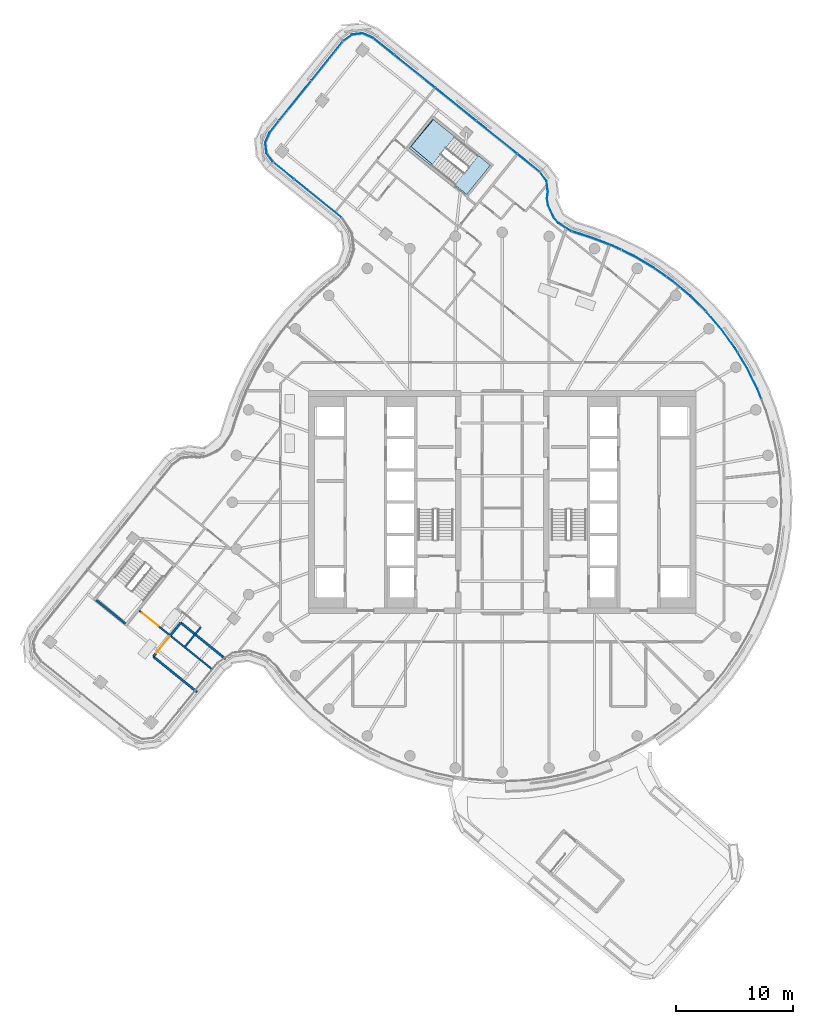
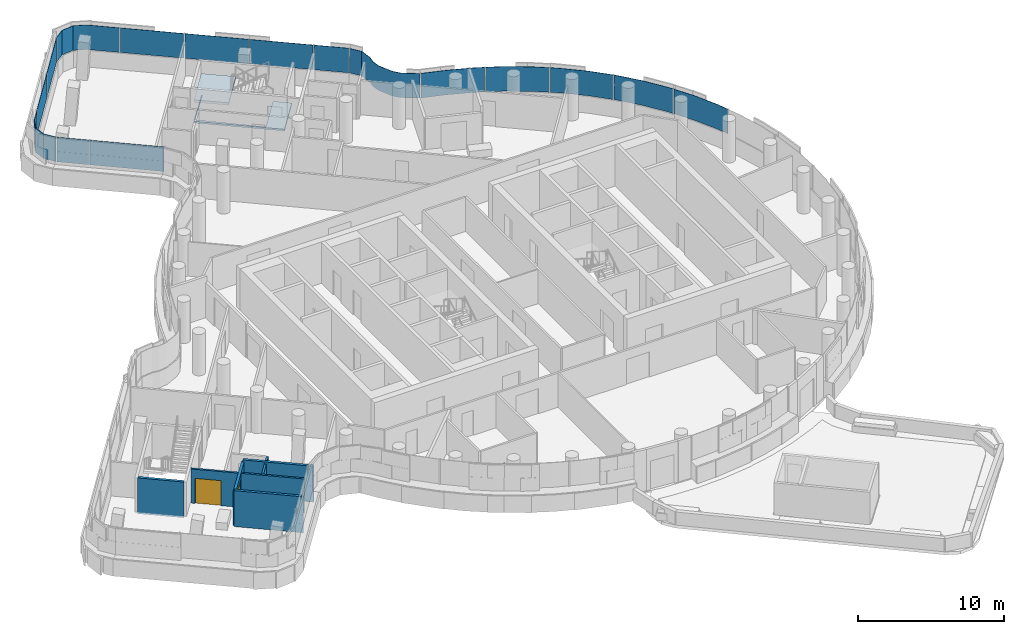
# One storey, part 14 of 25: 16 plates, 6 walls, 2 doors, 2 slabs, 2 openings, 5 elements without a shape of their own.
"""IFC4 building model written with IfcOpenShell, lengths in metres."""

from ifc_helpers import new_model, si_unit, direction, frame, frame_2d, origin, place, context, subcontext, project, spatial, polyline, rectangle, outline, extrude, material, layer, layer_set, type_object, element, fill, aggregate, save


model = new_model("IFC4")

# Units and contexts
model_context = context("Model", 3, precision=1e-05, world=origin(), true_north=direction((0.0, 1.0)))
body_context = subcontext(model_context, "Body", "Model", "MODEL_VIEW")
ifc_project = project(units=[si_unit("LENGTHUNIT", "METRE"), si_unit("AREAUNIT", "SQUARE_METRE"), si_unit("VOLUMEUNIT", "CUBIC_METRE"), si_unit("PLANEANGLEUNIT", "RADIAN"), si_unit("MASSUNIT", "GRAM", prefix="KILO")], contexts=[model_context])

# Site, building, storey
site_placement = place(None, origin())
site = spatial("IfcSite", under=ifc_project, at=site_placement, CompositionType="ELEMENT")
building_placement = place(site_placement, origin())
building = spatial("IfcBuilding", under=site, at=building_placement, Name="Tamarind Cross Interchange Tower", CompositionType="ELEMENT")
storey_placement = place(building_placement, frame((0.0, 0.0, 219.89990234375)))
storey = spatial("IfcBuildingStorey", under=building, at=storey_placement, Name="L55", CompositionType="ELEMENT", Elevation=219.89990234375)

# Slab
ifc_material_1 = material(Name="Concrete C35", Category="concrete")
ifc_layer_1 = layer(ifc_material_1, 0.139892578125)
ifc_layer_set_1 = layer_set([ifc_layer_1], Name="Concrete C35")
slab_type_1 = type_object("IfcSlabType", Name="Composite slab 140 Concrete C35", PredefinedType="FLOOR", material=ifc_layer_set_1)
slab_1_placement = place(storey_placement, frame((0.0, 0.0, -0.139892578125)))
element("IfcSlab", 1, at=slab_1_placement, inside=storey, type_object=slab_type_1, Name="Floor slab L55", PredefinedType="FLOOR", context=body_context, shape_type="SweptSolid", body=[
    extrude(outline(polyline([(-5.923095703125, 32.666015625), (-7.9287109375, 30.17236328125), (-3.01904296875, 26.224365234375), (-1.013671875, 28.718017578125), (-2.0361328125, 29.540283203125), (-3.96923828125, 27.136474609375), (-7.7783203125, 30.315673828125), (-5.859375, 32.61474609375), (-5.923095703125, 32.666015625)])), origin(), (0.0, 0.0, 1.0), 0.139892578125),
])

# Stair, slab
ifc_material_2 = material(Name="Exit stair")
stair_type = type_object("IfcStairType", Name="Exit stair", PredefinedType="HALF_TURN_STAIR", material=ifc_material_2)
stair_placement = place(storey_placement, origin())
stair = element("IfcStair", 2, at=stair_placement, inside=storey, type_object=stair_type, Name="L55 exit stair ST4", PredefinedType="HALF_TURN_STAIR")
ifc_material_3 = material(Name="Concrete C40", Category="concrete")
ifc_layer_2 = layer(ifc_material_3, 0.199951171875)
ifc_layer_set_2 = layer_set([ifc_layer_2], Name="Concrete C40")
slab_type_2 = type_object("IfcSlabType", Name="Stair landing", PredefinedType="LANDING", material=ifc_layer_set_2)
slab_2_placement = place(storey_placement, frame((0.0, 0.0, 1.60009765625)))
slab_2 = element("IfcSlab", 3, at=slab_2_placement, type_object=slab_type_2, Name="ST4 landing 1", PredefinedType="LANDING", context=body_context, shape_type="SweptSolid", body=[
    extrude(outline(polyline([(-4.043701171875, 31.154541015625), (-5.92333984375, 32.666015625), (-7.9287109375, 30.17236328125), (-6.049072265625, 28.660888671875), (-4.043701171875, 31.154541015625)])), origin(), (0.0, 0.0, 1.0), 0.199951171875),
])
aggregate(stair, [slab_2])

# Curtain wall, plates
ifc_material_4 = material(Name="Aluminium 6063-T6", Category="aluminium")
ifc_layer_3 = layer(ifc_material_4, 0.139892578125)
ifc_layer_set_3 = layer_set([ifc_layer_3], Name="Aluminium 6063-T6")
curtain_wall_type_1 = type_object("IfcCurtainWallType", Name="Hotel curtain wall, 4.5 m bays", PredefinedType="NOTDEFINED", material=ifc_layer_set_3)
curtain_wall_1_placement = place(storey_placement, origin())
curtain_wall_1 = element("IfcCurtainWall", 4, at=curtain_wall_1_placement, inside=storey, type_object=curtain_wall_type_1, Name="CWS-L55-03", PredefinedType="NOTDEFINED")
ifc_material_5 = material(Name="Laminated low-e glass 6+1.52+6", Category="glass")
ifc_layer_4 = layer(ifc_material_5, 0.02392578125)
ifc_layer_set_4 = layer_set([ifc_layer_4], Name="Laminated low-e glass 6+1.52+6")
plate_type_1 = type_object("IfcPlateType", Name="Vision panel CW2", PredefinedType="CURTAIN_PANEL", material=ifc_layer_set_4)
plate_1_placement = place(storey_placement, frame((0.0, 0.0, 1.400146484375)))
plate_1 = element("IfcPlate", 5, at=plate_1_placement, type_object=plate_type_1, Name="CWP-L55-03-00", PredefinedType="CURTAIN_PANEL", context=body_context, shape_type="SweptSolid", body=[
    extrude(outline(polyline([(3.18603515625, 28.1484375), (1.30126953125, 29.6640625), (1.31640625, 29.682861328125), (3.201171875, 28.167236328125), (3.18603515625, 28.1484375)])), origin(), (0.0, 0.0, 1.0), 2.06005859375),
])
plate_2_placement = place(storey_placement, frame((0.0, 0.0, 1.400146484375)))
plate_2 = element("IfcPlate", 6, at=plate_2_placement, type_object=plate_type_1, Name="CWP-L55-03-01", PredefinedType="CURTAIN_PANEL", context=body_context, shape_type="SweptSolid", body=[
    extrude(outline(polyline([(1.254638671875, 29.70166015625), (-2.195556640625, 32.47607421875), (-2.180419921875, 32.49462890625), (1.26953125, 29.720458984375), (1.254638671875, 29.70166015625)])), origin(), (0.0, 0.0, 1.0), 2.06005859375),
])
plate_3_placement = place(storey_placement, frame((0.0, 0.0, 1.400146484375)))
plate_3 = element("IfcPlate", 7, at=plate_3_placement, type_object=plate_type_1, Name="CWP-L55-03-02", PredefinedType="CURTAIN_PANEL", context=body_context, shape_type="SweptSolid", body=[
    extrude(outline(polyline([(-2.2421875, 32.513671875), (-5.6923828125, 35.2880859375), (-5.67724609375, 35.306884765625), (-2.22705078125, 32.5322265625), (-2.2421875, 32.513671875)])), origin(), (0.0, 0.0, 1.0), 2.06005859375),
])
plate_4_placement = place(storey_placement, frame((0.0, 0.0, 1.400146484375)))
plate_4 = element("IfcPlate", 8, at=plate_4_placement, type_object=plate_type_1, Name="CWP-L55-03-03", PredefinedType="CURTAIN_PANEL", context=body_context, shape_type="SweptSolid", body=[
    extrude(outline(polyline([(-5.739013671875, 35.32568359375), (-9.189208984375, 38.10009765625), (-9.174072265625, 38.11865234375), (-5.72412109375, 35.344482421875), (-5.739013671875, 35.32568359375)])), origin(), (0.0, 0.0, 1.0), 2.06005859375),
])
plate_5_placement = place(storey_placement, frame((0.0, 0.0, 1.400146484375)))
plate_5 = element("IfcPlate", 9, at=plate_5_placement, type_object=plate_type_1, Name="CWP-L55-03-04", PredefinedType="CURTAIN_PANEL", context=body_context, shape_type="SweptSolid", body=[
    extrude(outline(polyline([(-9.23583984375, 38.1376953125), (-11.010009765625, 39.564208984375), (-11.879638671875, 39.947998046875), (-12.7958984375, 39.848388671875), (-13.5400390625, 39.303955078125), (-13.55419921875, 39.3232421875), (-12.804931640625, 39.87158203125), (-11.875732421875, 39.972412109375), (-10.997314453125, 39.5849609375), (-9.220947265625, 38.15625), (-9.23583984375, 38.1376953125)])), origin(), (0.0, 0.0, 1.0), 2.06005859375),
])
aggregate(curtain_wall_1, [plate_1, plate_2, plate_3, plate_4, plate_5])

curtain_wall_2_placement = place(storey_placement, origin())
curtain_wall_2 = element("IfcCurtainWall", 10, at=curtain_wall_2_placement, inside=storey, type_object=curtain_wall_type_1, Name="CWS-L55-04", PredefinedType="NOTDEFINED")
plate_6_placement = place(storey_placement, frame((0.0, 0.0, 1.400146484375)))
plate_6 = element("IfcPlate", 11, at=plate_6_placement, type_object=plate_type_1, Name="CWP-L55-04-00", PredefinedType="CURTAIN_PANEL", context=body_context, shape_type="SweptSolid", body=[
    extrude(outline(polyline([(-13.580810546875, 39.264892578125), (-16.266357421875, 35.92529296875), (-16.28515625, 35.9404296875), (-13.599609375, 39.280029296875), (-13.580810546875, 39.264892578125)])), origin(), (0.0, 0.0, 1.0), 2.06005859375),
])
plate_7_placement = place(storey_placement, frame((0.0, 0.0, 1.400146484375)))
plate_7 = element("IfcPlate", 12, at=plate_7_placement, type_object=plate_type_1, Name="CWP-L55-04-01", PredefinedType="CURTAIN_PANEL", context=body_context, shape_type="SweptSolid", body=[
    extrude(outline(polyline([(-16.303955078125, 35.87841796875), (-18.98974609375, 32.538818359375), (-19.008544921875, 32.553955078125), (-16.32275390625, 35.8935546875), (-16.303955078125, 35.87841796875)])), origin(), (0.0, 0.0, 1.0), 2.06005859375),
])
plate_8_placement = place(storey_placement, frame((0.0, 0.0, 1.400146484375)))
plate_8 = element("IfcPlate", 13, at=plate_8_placement, type_object=plate_type_1, Name="CWP-L55-04-02", PredefinedType="CURTAIN_PANEL", context=body_context, shape_type="SweptSolid", body=[
    extrude(outline(polyline([(-19.02734375, 32.491943359375), (-19.794677734375, 31.537841796875), (-20.178466796875, 30.66796875), (-20.078857421875, 29.751708984375), (-19.5341796875, 29.00732421875), (-19.553466796875, 28.9931640625), (-20.10205078125, 29.742919921875), (-20.202880859375, 30.671875), (-19.8154296875, 31.55029296875), (-19.046142578125, 32.507080078125), (-19.02734375, 32.491943359375)])), origin(), (0.0, 0.0, 1.0), 2.06005859375),
])
aggregate(curtain_wall_2, [plate_6, plate_7, plate_8])

curtain_wall_3_placement = place(storey_placement, origin())
curtain_wall_3 = element("IfcCurtainWall", 14, at=curtain_wall_3_placement, inside=storey, type_object=curtain_wall_type_1, Name="CWS-L55-05", PredefinedType="NOTDEFINED")
plate_9_placement = place(storey_placement, frame((0.0, 0.0, 1.400146484375)))
plate_9 = element("IfcPlate", 15, at=plate_9_placement, type_object=plate_type_1, Name="CWP-L55-05-00", PredefinedType="CURTAIN_PANEL", context=body_context, shape_type="SweptSolid", body=[
    extrude(outline(polyline([(-19.495361328125, 28.966552734375), (-17.7421875, 27.546630859375), (-17.75732421875, 27.52783203125), (-19.51025390625, 28.94775390625), (-19.495361328125, 28.966552734375)])), origin(), (0.0, 0.0, 1.0), 2.06005859375),
])
plate_10_placement = place(storey_placement, frame((0.0, 0.0, 1.400146484375)))
plate_10 = element("IfcPlate", 16, at=plate_10_placement, type_object=plate_type_1, Name="CWP-L55-05-01", PredefinedType="CURTAIN_PANEL", context=body_context, shape_type="SweptSolid", body=[
    extrude(outline(polyline([(-17.695556640625, 27.5087890625), (-13.712890625, 24.282958984375), (-13.72802734375, 24.264404296875), (-17.710693359375, 27.489990234375), (-17.695556640625, 27.5087890625)])), origin(), (0.0, 0.0, 1.0), 2.06005859375),
])
aggregate(curtain_wall_3, [plate_9, plate_10])

ifc_layer_5 = layer(ifc_material_4, 0.14990234375)
ifc_layer_set_5 = layer_set([ifc_layer_5], Name="Aluminium 6063-T6")
curtain_wall_type_2 = type_object("IfcCurtainWallType", Name="Winter garden and crown curtain wall", PredefinedType="NOTDEFINED", material=ifc_layer_set_5)
curtain_wall_4_placement = place(storey_placement, origin())
curtain_wall_4 = element("IfcCurtainWall", 17, at=curtain_wall_4_placement, inside=storey, type_object=curtain_wall_type_2, Name="CWS-L55-02", PredefinedType="NOTDEFINED")
ifc_material_6 = material(Name="Laminated low-e glass 8+1.52+8", Category="glass")
ifc_layer_6 = layer(ifc_material_6, 0.030029296875)
ifc_layer_set_6 = layer_set([ifc_layer_6], Name="Laminated low-e glass 8+1.52+8")
plate_type_2 = type_object("IfcPlateType", Name="Vision panel CW6", PredefinedType="CURTAIN_PANEL", material=ifc_layer_set_6)
plate_11_placement = place(storey_placement, frame((0.0, 0.0, 1.400146484375)))
plate_11 = element("IfcPlate", 18, at=plate_11_placement, type_object=plate_type_2, Name="CWP-L55-02-16", PredefinedType="CURTAIN_PANEL", context=body_context, shape_type="SweptSolid", body=[
    extrude(outline(polyline([(22.06494140625, 8.814697265625), (21.736572265625, 9.646240234375), (20.86572265625, 11.408203125), (20.069091796875, 12.732177734375), (20.0947265625, 12.747802734375), (20.89208984375, 11.422607421875), (21.763916015625, 9.658447265625), (22.093017578125, 8.825927734375), (22.06494140625, 8.814697265625)])), origin(), (0.0, 0.0, 1.0), 2.06005859375),
])
plate_12_placement = place(storey_placement, frame((0.0, 0.0, 1.400146484375)))
plate_12 = element("IfcPlate", 19, at=plate_12_placement, type_object=plate_type_2, Name="CWP-L55-02-17", PredefinedType="CURTAIN_PANEL", context=body_context, shape_type="SweptSolid", body=[
    extrude(outline(polyline([(20.0380859375, 12.78369140625), (19.852294921875, 13.09228515625), (18.703369140625, 14.68701171875), (17.426513671875, 16.181396484375), (17.347412109375, 16.260009765625), (17.368408203125, 16.28125), (17.448486328125, 16.201904296875), (18.72705078125, 14.70556640625), (19.87744140625, 13.10888671875), (20.063720703125, 12.799072265625), (20.0380859375, 12.78369140625)])), origin(), (0.0, 0.0, 1.0), 2.06005859375),
])
plate_13_placement = place(storey_placement, frame((0.0, 0.0, 1.400146484375)))
plate_13 = element("IfcPlate", 20, at=plate_13_placement, type_object=plate_type_2, Name="CWP-L55-02-18", PredefinedType="CURTAIN_PANEL", context=body_context, shape_type="SweptSolid", body=[
    extrude(outline(polyline([(17.3046875, 16.30224609375), (16.03076171875, 17.565185546875), (14.525634765625, 18.8291015625), (13.998779296875, 19.20166015625), (14.01611328125, 19.22607421875), (14.5439453125, 18.852783203125), (16.051025390625, 17.58740234375), (17.325927734375, 16.323486328125), (17.3046875, 16.30224609375)])), origin(), (0.0, 0.0, 1.0), 2.06005859375),
])
plate_14_placement = place(storey_placement, frame((0.0, 0.0, 1.400146484375)))
plate_14 = element("IfcPlate", 21, at=plate_14_placement, type_object=plate_type_2, Name="CWP-L55-02-19", PredefinedType="CURTAIN_PANEL", context=body_context, shape_type="SweptSolid", body=[
    extrude(outline(polyline([(13.949951171875, 19.236328125), (12.921142578125, 19.96435546875), (11.228271484375, 20.963134765625), (10.1669921875, 21.476318359375), (10.179931640625, 21.50341796875), (11.242431640625, 20.989501953125), (12.937255859375, 19.989501953125), (13.96728515625, 19.2607421875), (13.949951171875, 19.236328125)])), origin(), (0.0, 0.0, 1.0), 2.06005859375),
])
plate_15_placement = place(storey_placement, frame((0.0, 0.0, 1.400146484375)))
plate_15 = element("IfcPlate", 22, at=plate_15_placement, type_object=plate_type_2, Name="CWP-L55-02-20", PredefinedType="CURTAIN_PANEL", context=body_context, shape_type="SweptSolid", body=[
    extrude(outline(polyline([(10.11279296875, 21.50244140625), (9.458740234375, 21.818603515625), (7.6220703125, 22.5263671875), (5.958740234375, 23.061279296875), (5.968017578125, 23.08984375), (7.632080078125, 22.5546875), (9.470703125, 21.84619140625), (10.1259765625, 21.529541015625), (10.11279296875, 21.50244140625)])), origin(), (0.0, 0.0, 1.0), 2.06005859375),
])
plate_16_placement = place(storey_placement, frame((0.0, 0.0, 1.400146484375)))
plate_16 = element("IfcPlate", 23, at=plate_16_placement, type_object=plate_type_2, Name="CWP-L55-02-21", PredefinedType="CURTAIN_PANEL", context=body_context, shape_type="SweptSolid", body=[
    extrude(outline(polyline([(5.901611328125, 23.07958984375), (5.880126953125, 23.086669921875), (4.781494140625, 23.794189453125), (4.38232421875, 24.253173828125), (3.89306640625, 25.3115234375), (3.80224609375, 25.912841796875), (3.874755859375, 26.45654296875), (3.759765625, 27.380126953125), (3.22265625, 28.10595703125), (3.246826171875, 28.123779296875), (3.78857421875, 27.391845703125), (3.905029296875, 26.456298828125), (3.83251953125, 25.9130859375), (3.922119140625, 25.3203125), (4.407958984375, 24.26953125), (4.80126953125, 23.817138671875), (5.89306640625, 23.114013671875), (5.910888671875, 23.108154296875), (5.901611328125, 23.07958984375)])), origin(), (0.0, 0.0, 1.0), 2.06005859375),
])
aggregate(curtain_wall_4, [plate_11, plate_12, plate_13, plate_14, plate_15, plate_16])

# Wall, opening, door
ifc_layer_7 = layer(ifc_material_3, 0.199951171875)
ifc_layer_set_7 = layer_set([ifc_layer_7], Name="Concrete C40")
wall_type_1 = type_object("IfcWallType", Name="Balcony and garden door wall", PredefinedType="SOLIDWALL", material=ifc_layer_set_7)
wall_1_placement = place(storey_placement, frame((-29.736572265625, -13.156494140625, 0.0), z_axis=(0.0, 0.0, 1.0), x_axis=(0.629422930753, 0.77706291524, 0.0)))
wall_1 = element("IfcWall", 24, at=wall_1_placement, inside=storey, type_object=wall_type_1, Name="EXW-L55-WG-L55-WNa", PredefinedType="SOLIDWALL", context=body_context, shape_type="SweptSolid", body=[
    extrude(rectangle(XDim=3.718994140625, YDim=0.199951171875, at=frame_2d((1.859375, 0.0))), origin(), (0.0, 0.0, 1.0), 2.864013671875),
])
opening_1_placement = place(wall_1_placement, frame((0.39990234375, 0.0, 0.0)))
opening_1 = element("IfcOpeningElement", 25, at=opening_1_placement, cuts=wall_1, Name="Opening D5", PredefinedType="OPENING", context=body_context, shape_type="SweptSolid", body=[
    extrude(rectangle(XDim=1.800048828125, YDim=2.39990234375, at=frame_2d((0.89990234375, 1.199951171875))), frame((0.0, 0.10986328125, 0.0), z_axis=(0.0, -1.0, 0.0), x_axis=(1.0, 0.0, 0.0)), (0.0, 0.0, 1.0), 0.219970703125),
])
ifc_material_7 = material(Name="Aluminium and toughened glass", Category="aluminium")
door_type_1 = type_object("IfcDoorType", Name="Roof garden door", OperationType="DOUBLE_DOOR_SINGLE_SWING", PredefinedType="DOOR", material=ifc_material_7)
door_1_placement = place(opening_1_placement, origin())
door_1 = element("IfcDoor", 26, at=door_1_placement, inside=storey, type_object=door_type_1, Name="DOR-L55-WG-L55-WNa", OperationType="SINGLE_SWING_LEFT", OverallHeight=2.39990234375, OverallWidth=1.800048828125, PredefinedType="DOOR", context=body_context, shape_type="SweptSolid", body=[
    extrude(rectangle(XDim=1.800048828125, YDim=2.39990234375, at=frame_2d((0.89990234375, 1.199951171875))), frame((0.0, 0.02490234375, 0.0), z_axis=(0.0, -1.0, 0.0), x_axis=(1.0, 0.0, 0.0)), (0.0, 0.0, 1.0), 0.050048828125),
])
fill(opening_1, door_1)

# Walls
wall_2_placement = place(storey_placement, frame((-29.736572265625, -13.156494140625, 0.0), z_axis=(0.0, 0.0, 1.0), x_axis=(0.777068356251, -0.629416213418, 0.0)))
element("IfcWall", 27, at=wall_2_placement, inside=storey, type_object=wall_type_1, Name="EXW-L55-WG-L55-WNa-R0", PredefinedType="SOLIDWALL", context=body_context, shape_type="SweptSolid", body=[
    extrude(rectangle(XDim=4.800048828125, YDim=0.199951171875, at=frame_2d((2.39990234375, 0.0))), origin(), (0.0, 0.0, 1.0), 3.01416015625),
])
wall_3_placement = place(storey_placement, frame((-27.395751953125, -10.2666015625, 0.0), z_axis=(0.0, 0.0, 1.0), x_axis=(0.77707382843, -0.629409457483, 0.0)))
element("IfcWall", 28, at=wall_3_placement, inside=storey, type_object=wall_type_1, Name="EXW-L55-WG-L55-WNa-R1", PredefinedType="SOLIDWALL", context=body_context, shape_type="SweptSolid", body=[
    extrude(rectangle(XDim=4.92041015625, YDim=0.199951171875, at=frame_2d((2.460205078125, 0.0))), origin(), (0.0, 0.0, 1.0), 3.01416015625),
])

# Wall, opening, door
ifc_material_8 = material(Name="Gypsum board partition on steel studs", Category="steel")
ifc_layer_8 = layer(ifc_material_8, 0.14990234375)
ifc_layer_set_8 = layer_set([ifc_layer_8], Name="Gypsum board partition on steel studs")
wall_type_2 = type_object("IfcWallType", Name="Partition 150 mm EI 120", PredefinedType="PARTITIONING", material=ifc_layer_set_8)
wall_4_placement = place(storey_placement, frame((-30.925048828125, -9.247314453125, 0.0), z_axis=(0.0, 0.0, 1.0), x_axis=(0.779383084093, -0.626547690308, 0.0)))
wall_4 = element("IfcWall", 29, at=wall_4_placement, inside=storey, type_object=wall_type_2, Name="Partition L55-005", PredefinedType="PARTITIONING", context=body_context, shape_type="SweptSolid", body=[
    extrude(rectangle(XDim=7.88330078125, YDim=0.14990234375, at=frame_2d((3.941650390625, 0.0))), origin(), (0.0, 0.0, 1.0), 2.864013671875),
])
opening_2_placement = place(wall_4_placement, frame((0.300048828125, 0.0, 0.0)))
opening_2 = element("IfcOpeningElement", 30, at=opening_2_placement, cuts=wall_4, Name="Opening D01", PredefinedType="OPENING", context=body_context, shape_type="SweptSolid", body=[
    extrude(rectangle(XDim=1.800048828125, YDim=2.10009765625, at=frame_2d((0.89990234375, 1.050048828125))), frame((0.0, 0.0849609375, 0.0), z_axis=(0.0, -1.0, 0.0), x_axis=(1.0, 0.0, 0.0)), (0.0, 0.0, 1.0), 0.169921875),
])
ifc_material_9 = material(Name="Fire-resisting door set")
door_type_2 = type_object("IfcDoorType", Name="Interior door 1800 x 2100 FD60S", OperationType="DOUBLE_DOOR_SINGLE_SWING", PredefinedType="DOOR", material=ifc_material_9)
door_2_placement = place(opening_2_placement, frame((1.800048828125, 0.0, 0.0), z_axis=(0.0, 0.0, 1.0), x_axis=(-1.0, 0.0, 0.0)))
door_2 = element("IfcDoor", 31, at=door_2_placement, inside=storey, type_object=door_type_2, Name="Door D01", OperationType="DOUBLE_DOOR_SINGLE_SWING", OverallHeight=2.10009765625, OverallWidth=1.800048828125, PredefinedType="DOOR", context=body_context, shape_type="SweptSolid", body=[
    extrude(rectangle(XDim=1.800048828125, YDim=2.10009765625, at=frame_2d((0.89990234375, 1.050048828125))), frame((0.0, 0.02490234375, 0.0), z_axis=(0.0, -1.0, 0.0), x_axis=(1.0, 0.0, 0.0)), (0.0, 0.0, 1.0), 0.050048828125),
])
fill(opening_2, door_2)

# Walls
wall_5_placement = place(storey_placement, frame((-27.010009765625, -12.293701171875, 0.0), z_axis=(0.0, 0.0, 1.0), x_axis=(0.626939515837, 0.77906793252, 0.0)))
element("IfcWall", 32, at=wall_5_placement, inside=storey, type_object=wall_type_2, Name="Partition L55-036", PredefinedType="PARTITIONING", context=body_context, shape_type="SweptSolid", body=[
    extrude(rectangle(XDim=2.119873046875, YDim=0.14990234375, at=frame_2d((1.06005859375, 0.0))), origin(), (0.0, 0.0, 1.0), 2.864013671875),
])
ifc_layer_9 = layer(ifc_material_3, 0.199951171875)
ifc_layer_set_9 = layer_set([ifc_layer_9], Name="Concrete C40")
wall_type_3 = type_object("IfcWallType", Name="Stair shaft wall 200 mm Concrete C40", PredefinedType="SHEAR", material=ifc_layer_set_9)
wall_6_placement = place(storey_placement, frame((0.0, 0.0, -0.139892578125)))
element("IfcWall", 33, at=wall_6_placement, inside=storey, type_object=wall_type_3, Name="Core wall CWL-L55-ST5-CF", PredefinedType="SHEAR", context=body_context, shape_type="SweptSolid", body=[
    extrude(outline(polyline([(-34.546142578125, -8.260986328125), (-34.67138671875, -8.4169921875), (-32.177734375, -10.42236328125), (-32.052490234375, -10.266357421875), (-34.546142578125, -8.260986328125)])), origin(), (0.0, 0.0, 1.0), 3.00390625),
])

save(model, "model.ifc")
